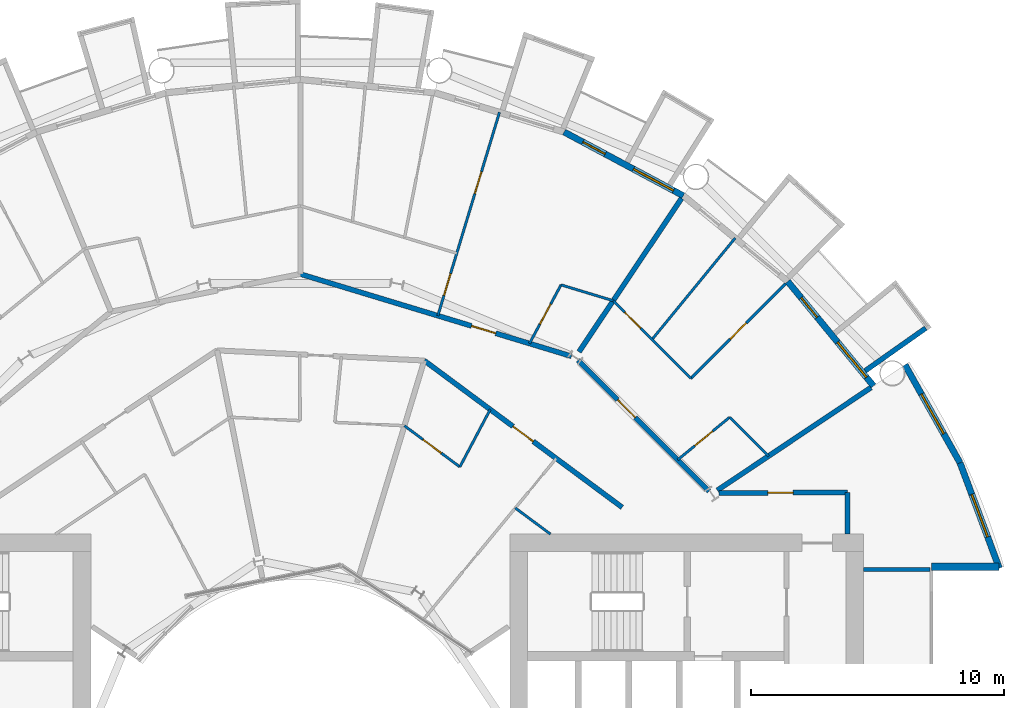
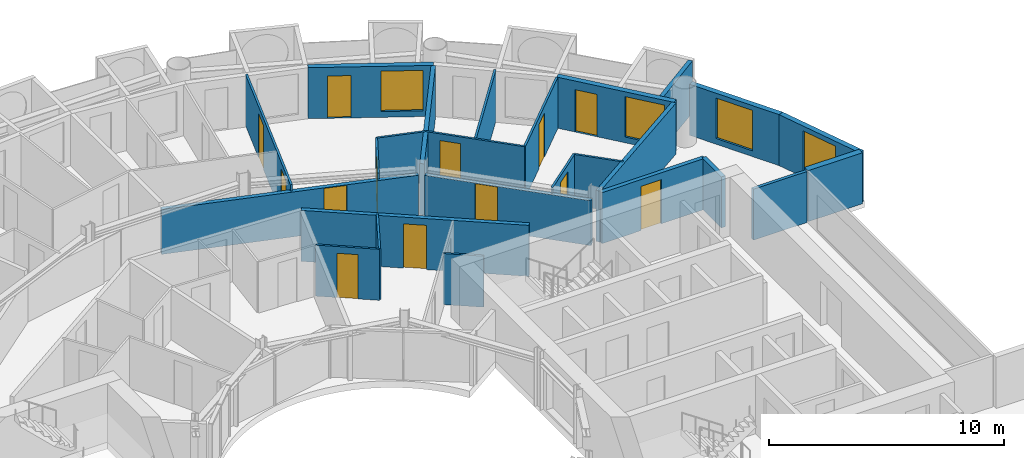
# One storey, part 21 of 25: 25 walls, 13 doors, 4 windows, 17 openings.
"""IFC4 building model written with IfcOpenShell, lengths in metres."""

import ifcopenshell
import ifcopenshell.guid

model = None  # the IFC model being written
_history = None  # IfcOwnerHistory: only IFC2X3 demands one
_inside = {}  # id of a spatial element -> (the spatial element, [elements in it])
_under = {}  # id of a project, library or spatial element -> (it, [spatial elements below it])
_declared = {}  # id of a project -> (the project, [libraries it declares])
_typed = {}  # id of a type object -> (the type object, [elements of that type])
_made_of = {}  # id of a material, layer set ... -> (it, [elements and type objects made of it])


def new_model(schema):
    """Start an empty IFC model of exactly this schema.

    Asked for "IFC4X3", IfcOpenShell would pick the latest addendum, in which some entities
    have other attributes; the version numbers below select the first issue.
    IFC2X3 requires an IfcOwnerHistory on every rooted entity: one is made here for all.
    """
    global model, _history
    if schema == "IFC4X3":
        model = ifcopenshell.file(schema_version=(4, 3, 0, 0))
    else:
        model = ifcopenshell.file(schema=schema)
    _inside.clear()
    _under.clear()
    _declared.clear()
    _typed.clear()
    _made_of.clear()
    _history = None
    if model.schema == "IFC2X3":
        org = make("IfcOrganization", Name="unknown")
        user = make(
            "IfcPersonAndOrganization",
            ThePerson=make("IfcPerson", FamilyName="unknown"),
            TheOrganization=org,
        )
        app = make(
            "IfcApplication",
            ApplicationDeveloper=org,
            Version="unknown",
            ApplicationFullName="unknown",
            ApplicationIdentifier="unknown",
        )
        _history = make(
            "IfcOwnerHistory",
            OwningUser=user,
            OwningApplication=app,
            ChangeAction="ADDED",
            CreationDate=0,
        )
    return model


def make(cls, **values):
    """One entity of the class cls with the attributes given. An attribute that is None is left unset."""
    return model.create_entity(
        cls, **{name: value for name, value in values.items() if value is not None}
    )


def rooted(cls, **values):
    """An entity with a GlobalId (a new one), such as an element, a storey or a relation."""
    return make(cls, GlobalId=ifcopenshell.guid.new(), OwnerHistory=_history, **values)


def si_unit(unit_type, name, prefix=None):
    """IfcSIUnit, for example si_unit("LENGTHUNIT", "METRE", prefix="MILLI")."""
    return make("IfcSIUnit", UnitType=unit_type, Prefix=prefix, Name=name)


def assignment(units):
    """IfcUnitAssignment: the units of a project."""
    return None if units is None else make("IfcUnitAssignment", Units=units)


def point(xyz):
    """IfcCartesianPoint."""
    return None if xyz is None else make("IfcCartesianPoint", Coordinates=xyz)


def direction(xyz):
    """IfcDirection."""
    return None if xyz is None else make("IfcDirection", DirectionRatios=xyz)


def frame(location, z_axis=None, x_axis=None):
    """IfcAxis2Placement3D, a coordinate frame: its origin and axes. An axis left out is left unset."""
    return make(
        "IfcAxis2Placement3D",
        Location=point(location),
        Axis=direction(z_axis),
        RefDirection=direction(x_axis),
    )


def frame_2d(location, x_axis=None):
    """IfcAxis2Placement2D, a coordinate frame in the plane: its origin and x axis."""
    return make(
        "IfcAxis2Placement2D", Location=point(location), RefDirection=direction(x_axis)
    )


def origin():
    """The frame at (0, 0, 0) with its axes left unset."""
    return frame((0.0, 0.0, 0.0))


def place(relative_to, where):
    """IfcLocalPlacement: puts the frame where relative to a parent placement (None: the world)."""
    return make(
        "IfcLocalPlacement", PlacementRelTo=relative_to, RelativePlacement=where
    )


def context(
    kind, dimensions, precision=None, world=None, true_north=None, identifier=None
):
    """IfcGeometricRepresentationContext, for example the 3D "Model" context."""
    return make(
        "IfcGeometricRepresentationContext",
        ContextIdentifier=identifier,
        ContextType=kind,
        CoordinateSpaceDimension=dimensions,
        Precision=precision,
        WorldCoordinateSystem=world,
        TrueNorth=true_north,
    )


def subcontext(parent, identifier, kind, view, scale=None):
    """IfcGeometricRepresentationSubContext, for example "Body" below "Model"."""
    return make(
        "IfcGeometricRepresentationSubContext",
        ContextIdentifier=identifier,
        ContextType=kind,
        ParentContext=parent,
        TargetScale=scale,
        TargetView=view,
    )


def project(units=None, contexts=None):
    """IfcProject with its units and contexts."""
    return rooted(
        "IfcProject",
        Name="project",
        RepresentationContexts=contexts,
        UnitsInContext=assignment(units),
    )


def spatial(cls, under=None, at=None, **own):
    """A site, building, storey or space (cls), placed at a placement, below another one or the project."""
    s = rooted(cls, ObjectPlacement=at, **own)
    if under is not None:
        _under.setdefault(under.id(), (under, []))[1].append(s)
    return s


def profile(cls, at=None, kind="AREA", **sizes):
    """A parametric profile (cls). Its sizes go by their IFC names, for example OverallWidth=200.0."""
    return make(cls, ProfileType=kind, Position=at, **sizes)


def rectangle(**sizes):
    """IfcRectangleProfileDef."""
    return profile("IfcRectangleProfileDef", **sizes)


def extrude(swept, where, along, depth):
    """IfcExtrudedAreaSolid: the profile swept, set in the frame where, extruded along a direction by depth."""
    return make(
        "IfcExtrudedAreaSolid",
        SweptArea=swept,
        Position=where,
        ExtrudedDirection=direction(along),
        Depth=depth,
    )


def shape(context_of_items, identifier, shape_type, items):
    """IfcShapeRepresentation: the items that make up one representation, for example the "Body"."""
    return make(
        "IfcShapeRepresentation",
        ContextOfItems=context_of_items,
        RepresentationIdentifier=identifier,
        RepresentationType=shape_type,
        Items=items,
    )


def material(Name=None, Category=None):
    """IfcMaterial."""
    return make("IfcMaterial", Name=Name, Category=Category)


def layer(
    of_material, thickness, ventilated=None, Name=None, Category=None, Priority=None
):
    """IfcMaterialLayer: one layer of a wall or slab, of a material (None: an air gap)."""
    return make(
        "IfcMaterialLayer",
        Material=of_material,
        LayerThickness=thickness,
        IsVentilated=ventilated,
        Name=Name,
        Category=Category,
        Priority=Priority,
    )


def layer_set(layers, Name=None):
    """IfcMaterialLayerSet."""
    return make("IfcMaterialLayerSet", MaterialLayers=layers, LayerSetName=Name)


def made_of(thing, what):
    """Note that an element or type object is made of a material, layer set ...; save() writes the relation."""
    if what is not None:
        _made_of.setdefault(what.id(), (what, []))[1].append(thing)
    return thing


def type_object(cls, material=None, **own):
    """A type object (cls), such as IfcWallType, which elements share."""
    return made_of(rooted(cls, **own), material)


def element(
    cls,
    number,
    at=None,
    inside=None,
    cuts=None,
    type_object=None,
    material=None,
    context=None,
    identifier="Body",
    shape_type=None,
    held_by="IfcProductDefinitionShape",
    body=None,
    shapes=None,
    **own,
):
    """One element of the class cls, such as IfcWall. Its Tag is "e" and its number.

    at: its placement. inside: the storey or other place that contains it. cuts: it is an
    opening in that element (IfcRelVoidsElement). A single representation is given by context,
    identifier, shape_type and body (its items); several are given by shapes. held_by: the class
    of the entity that holds the representations. save() writes the other relations.
    """
    e = rooted(cls, Tag="e%d" % number, ObjectPlacement=at, **own)
    if body is not None:
        shapes = [shape(context, identifier, shape_type, body)]
    if shapes is not None:
        e.Representation = make(held_by, Representations=shapes)
    if inside is not None:
        _inside.setdefault(inside.id(), (inside, []))[1].append(e)
    if cuts is not None:
        rooted(
            "IfcRelVoidsElement", RelatingBuildingElement=cuts, RelatedOpeningElement=e
        )
    if type_object is not None:
        _typed.setdefault(type_object.id(), (type_object, []))[1].append(e)
    return made_of(e, material)


def fill(opening, filler):
    """IfcRelFillsElement: the door or window that sits in an opening."""
    return rooted(
        "IfcRelFillsElement",
        RelatingOpeningElement=opening,
        RelatedBuildingElement=filler,
    )


def aggregate(whole, parts):
    """IfcRelAggregates: a whole, such as a stair, and the parts it consists of."""
    return rooted("IfcRelAggregates", RelatingObject=whole, RelatedObjects=parts)


def save(model, path):
    """Write the relations noted so far, then the file.

    IfcRelAggregates (storeys below a building ...), IfcRelContainedInSpatialStructure (elements
    in a storey), IfcRelDefinesByType, IfcRelAssociatesMaterial and IfcRelDeclares: one each for
    every whole, place, type object, material and project.
    """
    for whole, parts in _under.values():
        aggregate(whole, parts)
    for where, things in _inside.values():
        rooted(
            "IfcRelContainedInSpatialStructure",
            RelatedElements=things,
            RelatingStructure=where,
        )
    for kind, things in _typed.values():
        rooted("IfcRelDefinesByType", RelatedObjects=things, RelatingType=kind)
    for what, things in _made_of.values():
        rooted("IfcRelAssociatesMaterial", RelatedObjects=things, RelatingMaterial=what)
    for by, libraries in _declared.values():
        rooted("IfcRelDeclares", RelatingContext=by, RelatedDefinitions=libraries)
    model.write(path)


model = new_model("IFC4")

# Units and contexts
model_context = context("Model", 3, precision=1e-05, world=origin(), true_north=direction((0.0, 1.0)))
body_context = subcontext(model_context, "Body", "Model", "MODEL_VIEW")
ifc_project = project(units=[si_unit("LENGTHUNIT", "METRE"), si_unit("AREAUNIT", "SQUARE_METRE"), si_unit("VOLUMEUNIT", "CUBIC_METRE"), si_unit("PLANEANGLEUNIT", "RADIAN"), si_unit("MASSUNIT", "GRAM", prefix="KILO")], contexts=[model_context])

# Site, building, storey
site_placement = place(None, origin())
site = spatial("IfcSite", under=ifc_project, at=site_placement, CompositionType="ELEMENT")
building_placement = place(site_placement, origin())
building = spatial("IfcBuilding", under=site, at=building_placement, Name="Maasbend Ring Residences", CompositionType="ELEMENT")
storey_placement = place(building_placement, frame((0.0, 0.0, 94.10009765625)))
storey = spatial("IfcBuildingStorey", under=building, at=storey_placement, Name="L27", CompositionType="ELEMENT", Elevation=94.10009765625)

# Wall
ifc_material_1 = material(Name="Concrete C30/37", Category="concrete")
ifc_layer_1 = layer(ifc_material_1, 0.199951171875)
ifc_layer_set_1 = layer_set([ifc_layer_1], Name="Concrete C30/37")
wall_type_1 = type_object("IfcWallType", Name="CORRIDOR WALL 200 CONCRETE", PredefinedType="PARTITIONING", material=ifc_layer_set_1)
wall_1_placement = place(storey_placement, frame((21.675048828125, 9.300048828125, 0.0), z_axis=(0.0, 0.0, 1.0), x_axis=(0.0, 1.0, 0.0)))
element("IfcWall", 1, at=wall_1_placement, inside=storey, type_object=wall_type_1, Name="U-L27-w006", PredefinedType="PARTITIONING", context=body_context, shape_type="SweptSolid", body=[
    extrude(rectangle(XDim=1.64990234375, YDim=0.199951171875, at=frame_2d((0.824951171875, 0.0))), origin(), (0.0, 0.0, 1.0), 2.64990234375),
])

# Wall, opening, door
wall_2_placement = place(storey_placement, frame((16.587890625, 10.925048828125, 0.0), z_axis=(0.0, 0.0, 1.0), x_axis=(0.999988019025, 0.004895079807, 0.0)))
wall_2 = element("IfcWall", 2, at=wall_2_placement, inside=storey, type_object=wall_type_1, Name="U-L27-w087", PredefinedType="PARTITIONING", context=body_context, shape_type="SweptSolid", body=[
    extrude(rectangle(XDim=5.087158203125, YDim=0.199951171875, at=frame_2d((2.54345703125, 0.0))), origin(), (0.0, 0.0, 1.0), 2.64990234375),
])
opening_1_placement = place(wall_2_placement, frame((1.925048828125, 0.0, 0.0)))
opening_1 = element("IfcOpeningElement", 3, at=opening_1_placement, cuts=wall_2, Name="Opening D-2766", PredefinedType="OPENING", context=body_context, shape_type="SweptSolid", body=[
    extrude(rectangle(XDim=1.0, YDim=2.300048828125, at=frame_2d((0.5, 1.14990234375))), frame((0.0, 0.10986328125, 0.0), z_axis=(0.0, -1.0, 0.0), x_axis=(1.0, 0.0, 0.0)), (0.0, 0.0, 1.0), 0.219970703125),
])
ifc_material_2 = material(Name="Timber, painted", Category="wood")
door_type_1 = type_object("IfcDoorType", Name="ROOM DOOR 1000 X 2300", OperationType="NOTDEFINED", PredefinedType="DOOR", material=ifc_material_2)
door_1_placement = place(opening_1_placement, origin())
door_1 = element("IfcDoor", 4, at=door_1_placement, inside=storey, type_object=door_type_1, Name="D-2766", OperationType="SINGLE_SWING_LEFT", OverallHeight=2.300048828125, OverallWidth=1.0, PredefinedType="DOOR", context=body_context, shape_type="SweptSolid", body=[
    extrude(rectangle(XDim=1.0, YDim=2.300048828125, at=frame_2d((0.5, 1.14990234375))), frame((0.0, 0.02490234375, 0.0), z_axis=(0.0, -1.0, 0.0), x_axis=(1.0, 0.0, 0.0)), (0.0, 0.0, 1.0), 0.050048828125),
])
fill(opening_1, door_1)

wall_3_placement = place(storey_placement, frame((4.906005859375, 16.172119140625, 0.0), z_axis=(0.0, 0.0, 1.0), x_axis=(0.803191461888, -0.595720971219, 0.0)))
wall_3 = element("IfcWall", 5, at=wall_3_placement, inside=storey, type_object=wall_type_1, Name="U-L27-w096", PredefinedType="PARTITIONING", context=body_context, shape_type="SweptSolid", body=[
    extrude(rectangle(XDim=9.760009765625, YDim=0.199951171875, at=frame_2d((4.8798828125, 0.0))), origin(), (0.0, 0.0, 1.0), 2.64990234375),
])
opening_2_placement = place(wall_3_placement, frame((4.3798828125, 0.0, 0.0)))
opening_2 = element("IfcOpeningElement", 6, at=opening_2_placement, cuts=wall_3, Name="Opening D-2721", PredefinedType="OPENING", context=body_context, shape_type="SweptSolid", body=[
    extrude(rectangle(XDim=1.0, YDim=2.300048828125, at=frame_2d((0.5, 1.14990234375))), frame((0.0, 0.10986328125, 0.0), z_axis=(0.0, -1.0, 0.0), x_axis=(1.0, 0.0, 0.0)), (0.0, 0.0, 1.0), 0.219970703125),
])
ifc_material_3 = material(Name="Timber, fire-rated, painted", Category="wood")
door_type_2 = type_object("IfcDoorType", Name="FLAT ENTRANCE DOOR 1000 X 2300 FIRE-RATED", OperationType="NOTDEFINED", PredefinedType="DOOR", material=ifc_material_3)
door_2_placement = place(opening_2_placement, origin())
door_2 = element("IfcDoor", 7, at=door_2_placement, inside=storey, type_object=door_type_2, Name="D-2721", OperationType="SINGLE_SWING_LEFT", OverallHeight=2.300048828125, OverallWidth=1.0, PredefinedType="DOOR", context=body_context, shape_type="SweptSolid", body=[
    extrude(rectangle(XDim=1.0, YDim=2.300048828125, at=frame_2d((0.5, 1.14990234375))), frame((0.0, 0.02490234375, 0.0), z_axis=(0.0, -1.0, 0.0), x_axis=(1.0, 0.0, 0.0)), (0.0, 0.0, 1.0), 0.050048828125),
])
fill(opening_2, door_2)

wall_4_placement = place(storey_placement, frame((-0.007080078125, 19.59912109375, 0.0), z_axis=(0.0, 0.0, 1.0), x_axis=(0.95700958731, -0.290056287291, 0.0)))
wall_4 = element("IfcWall", 8, at=wall_4_placement, inside=storey, type_object=wall_type_1, Name="U-L27-w098", PredefinedType="PARTITIONING", context=body_context, shape_type="SweptSolid", body=[
    extrude(rectangle(XDim=11.225830078125, YDim=0.199951171875, at=frame_2d((5.61279296875, 0.0))), origin(), (0.0, 0.0, 1.0), 2.329833984375),
])
opening_3_placement = place(wall_4_placement, frame((7.093017578125, 0.0, 0.0)))
opening_3 = element("IfcOpeningElement", 9, at=opening_3_placement, cuts=wall_4, Name="Opening D-2705", PredefinedType="OPENING", context=body_context, shape_type="SweptSolid", body=[
    extrude(rectangle(XDim=1.0, YDim=2.300048828125, at=frame_2d((0.5, 1.14990234375))), frame((0.0, 0.10986328125, 0.0), z_axis=(0.0, -1.0, 0.0), x_axis=(1.0, 0.0, 0.0)), (0.0, 0.0, 1.0), 0.219970703125),
])
door_3_placement = place(opening_3_placement, origin())
door_3 = element("IfcDoor", 10, at=door_3_placement, inside=storey, type_object=door_type_2, Name="D-2705", OperationType="SINGLE_SWING_RIGHT", OverallHeight=2.300048828125, OverallWidth=1.0, PredefinedType="DOOR", context=body_context, shape_type="SweptSolid", body=[
    extrude(rectangle(XDim=1.0, YDim=2.300048828125, at=frame_2d((0.5, 1.14990234375))), frame((0.0, 0.02490234375, 0.0), z_axis=(0.0, -1.0, 0.0), x_axis=(1.0, 0.0, 0.0)), (0.0, 0.0, 1.0), 0.050048828125),
])
fill(opening_3, door_3)

wall_5_placement = place(storey_placement, frame((11.0, 16.18603515625, 0.0), z_axis=(0.0, 0.0, 1.0), x_axis=(0.707106781187, -0.707106781187, 0.0)))
wall_5 = element("IfcWall", 11, at=wall_5_placement, inside=storey, type_object=wall_type_1, Name="U-L27-w101", PredefinedType="PARTITIONING", context=body_context, shape_type="SweptSolid", body=[
    extrude(rectangle(XDim=7.334228515625, YDim=0.199951171875, at=frame_2d((3.6669921875, 0.0))), origin(), (0.0, 0.0, 1.0), 2.329833984375),
])
opening_4_placement = place(wall_5_placement, frame((2.2109375, 0.0, 0.0)))
opening_4 = element("IfcOpeningElement", 12, at=opening_4_placement, cuts=wall_5, Name="Opening D-2701", PredefinedType="OPENING", context=body_context, shape_type="SweptSolid", body=[
    extrude(rectangle(XDim=1.0, YDim=2.300048828125, at=frame_2d((0.5, 1.14990234375))), frame((0.0, 0.10986328125, 0.0), z_axis=(0.0, -1.0, 0.0), x_axis=(1.0, 0.0, 0.0)), (0.0, 0.0, 1.0), 0.219970703125),
])
door_4_placement = place(opening_4_placement, origin())
door_4 = element("IfcDoor", 13, at=door_4_placement, inside=storey, type_object=door_type_2, Name="D-2701", OperationType="SINGLE_SWING_LEFT", OverallHeight=2.300048828125, OverallWidth=1.0, PredefinedType="DOOR", context=body_context, shape_type="SweptSolid", body=[
    extrude(rectangle(XDim=1.0, YDim=2.300048828125, at=frame_2d((0.5, 1.14990234375))), frame((0.0, 0.02490234375, 0.0), z_axis=(0.0, -1.0, 0.0), x_axis=(1.0, 0.0, 0.0)), (0.0, 0.0, 1.0), 0.050048828125),
])
fill(opening_4, door_4)

# Wall
ifc_material_4 = material(Name="Pale anodised aluminium panel", Category="aluminium")
ifc_layer_2 = layer(ifc_material_4, 0.199951171875)
ifc_layer_set_2 = layer_set([ifc_layer_2], Name="EW-BOX")
wall_type_2 = type_object("IfcWallType", Name="EW-BOX", PredefinedType="SOLIDWALL", material=ifc_layer_set_2)
wall_6_placement = place(storey_placement, frame((22.3701171875, 15.764892578125, -0.030029296875), z_axis=(0.0, 0.0, 1.0), x_axis=(0.817256123454, 0.576274612209, 0.0)))
element("IfcWall", 14, at=wall_6_placement, inside=storey, type_object=wall_type_2, Name="Box side wall N01 left", PredefinedType="SOLIDWALL", context=body_context, shape_type="SweptSolid", body=[
    extrude(rectangle(XDim=2.932861328125, YDim=0.199951171875, at=frame_2d((1.46630859375, 0.0))), origin(), (0.0, 0.0, 1.0), 2.679931640625),
])

# Wall, openings, door, window
ifc_material_5 = material(Name="Aluminium clad insulated panel", Category="aluminium")
ifc_layer_3 = layer(ifc_material_5, 0.25)
ifc_layer_set_3 = layer_set([ifc_layer_3], Name="EW-GL")
wall_type_3 = type_object("IfcWallType", Name="EW-GL", PredefinedType="SOLIDWALL", material=ifc_layer_set_3)
wall_7_placement = place(storey_placement, frame((22.698974609375, 15.1669921875, 0.0), z_axis=(0.0, 0.0, 1.0), x_axis=(-0.634382322723, 0.773019449054, 0.0)))
wall_7 = element("IfcWall", 15, at=wall_7_placement, inside=storey, type_object=wall_type_3, Name="External wall N01", PredefinedType="SOLIDWALL", context=body_context, shape_type="SweptSolid", body=[
    extrude(rectangle(XDim=5.351806640625, YDim=0.25, at=frame_2d((2.67578125, 0.0))), origin(), (0.0, 0.0, 1.0), 2.64990234375),
])
opening_5_placement = place(wall_7_placement, frame((0.441162109375, 0.0, 0.300048828125)))
opening_5 = element("IfcOpeningElement", 16, at=opening_5_placement, cuts=wall_7, Name="Opening W-BX", PredefinedType="OPENING", context=body_context, shape_type="SweptSolid", body=[
    extrude(rectangle(XDim=1.800048828125, YDim=2.10009765625, at=frame_2d((0.89990234375, 1.050048828125))), frame((0.0, 0.135009765625, 0.0), z_axis=(0.0, -1.0, 0.0), x_axis=(1.0, 0.0, 0.0)), (0.0, 0.0, 1.0), 0.27001953125),
])
opening_6_placement = place(wall_7_placement, frame((3.510498046875, 0.0, 0.0)))
opening_6 = element("IfcOpeningElement", 17, at=opening_6_placement, cuts=wall_7, Name="Opening D-LG", PredefinedType="OPENING", context=body_context, shape_type="SweptSolid", body=[
    extrude(rectangle(XDim=1.0, YDim=2.199951171875, at=frame_2d((0.5, 1.10009765625))), frame((0.0, 0.135009765625, 0.0), z_axis=(0.0, -1.0, 0.0), x_axis=(1.0, 0.0, 0.0)), (0.0, 0.0, 1.0), 0.27001953125),
])
ifc_material_6 = material(Name="Aluminium and clear glass", Category="aluminium")
door_type_3 = type_object("IfcDoorType", Name="D-LG", OperationType="SINGLE_SWING_LEFT", PredefinedType="DOOR", material=ifc_material_6)
door_5_placement = place(opening_6_placement, origin())
door_5 = element("IfcDoor", 18, at=door_5_placement, inside=storey, type_object=door_type_3, Name="Loggia door N02", OperationType="SINGLE_SWING_LEFT", OverallHeight=2.199951171875, OverallWidth=1.0, PredefinedType="DOOR", context=body_context, shape_type="SweptSolid", body=[
    extrude(rectangle(XDim=1.0, YDim=2.199951171875, at=frame_2d((0.5, 1.10009765625))), frame((0.0, 0.02490234375, 0.0), z_axis=(0.0, -1.0, 0.0), x_axis=(1.0, 0.0, 0.0)), (0.0, 0.0, 1.0), 0.050048828125),
])
fill(opening_6, door_5)
ifc_material_7 = material(Name="Aluminium and clear glass", Category="aluminium")
window_type = type_object("IfcWindowType", Name="W-BX", PartitioningType="DOUBLE_PANEL_VERTICAL", PredefinedType="WINDOW", material=ifc_material_7)
window_1_placement = place(opening_5_placement, origin())
window_1 = element("IfcWindow", 19, at=window_1_placement, inside=storey, type_object=window_type, Name="Window N01 room to box", OverallHeight=2.10009765625, OverallWidth=1.800048828125, PartitioningType="SINGLE_PANEL", PredefinedType="WINDOW", context=body_context, shape_type="SweptSolid", body=[
    extrude(rectangle(XDim=1.800048828125, YDim=2.10009765625, at=frame_2d((0.89990234375, 1.050048828125))), frame((0.0, 0.030029296875, 0.0), z_axis=(0.0, -1.0, 0.0), x_axis=(1.0, 0.0, 0.0)), (0.0, 0.0, 1.0), 0.06005859375),
])
fill(opening_5, window_1)

wall_8_placement = place(storey_placement, frame((15.1669921875, 22.698974609375, 0.0), z_axis=(0.0, 0.0, 1.0), x_axis=(-0.881915646801, 0.471407246368, 0.0)))
wall_8 = element("IfcWall", 20, at=wall_8_placement, inside=storey, type_object=wall_type_3, Name="External wall N03", PredefinedType="SOLIDWALL", context=body_context, shape_type="SweptSolid", body=[
    extrude(rectangle(XDim=5.35205078125, YDim=0.25, at=frame_2d((2.676025390625, 0.0))), origin(), (0.0, 0.0, 1.0), 2.64990234375),
])
opening_7_placement = place(wall_8_placement, frame((0.441162109375, 0.0, 0.300048828125)))
opening_7 = element("IfcOpeningElement", 21, at=opening_7_placement, cuts=wall_8, Name="Opening W-BX", PredefinedType="OPENING", context=body_context, shape_type="SweptSolid", body=[
    extrude(rectangle(XDim=1.800048828125, YDim=2.10009765625, at=frame_2d((0.89990234375, 1.050048828125))), frame((0.0, 0.135009765625, 0.0), z_axis=(0.0, -1.0, 0.0), x_axis=(1.0, 0.0, 0.0)), (0.0, 0.0, 1.0), 0.27001953125),
])
opening_8_placement = place(wall_8_placement, frame((3.510498046875, 0.0, 0.0)))
opening_8 = element("IfcOpeningElement", 22, at=opening_8_placement, cuts=wall_8, Name="Opening D-LG", PredefinedType="OPENING", context=body_context, shape_type="SweptSolid", body=[
    extrude(rectangle(XDim=1.0, YDim=2.199951171875, at=frame_2d((0.5, 1.10009765625))), frame((0.0, 0.135009765625, 0.0), z_axis=(0.0, -1.0, 0.0), x_axis=(1.0, 0.0, 0.0)), (0.0, 0.0, 1.0), 0.27001953125),
])
door_6_placement = place(opening_8_placement, origin())
door_6 = element("IfcDoor", 23, at=door_6_placement, inside=storey, type_object=door_type_3, Name="Loggia door N06", OperationType="SINGLE_SWING_LEFT", OverallHeight=2.199951171875, OverallWidth=1.0, PredefinedType="DOOR", context=body_context, shape_type="SweptSolid", body=[
    extrude(rectangle(XDim=1.0, YDim=2.199951171875, at=frame_2d((0.5, 1.10009765625))), frame((0.0, 0.02490234375, 0.0), z_axis=(0.0, -1.0, 0.0), x_axis=(1.0, 0.0, 0.0)), (0.0, 0.0, 1.0), 0.050048828125),
])
fill(opening_8, door_6)
window_2_placement = place(opening_7_placement, origin())
window_2 = element("IfcWindow", 24, at=window_2_placement, inside=storey, type_object=window_type, Name="Window N05 room to box", OverallHeight=2.10009765625, OverallWidth=1.800048828125, PartitioningType="SINGLE_PANEL", PredefinedType="WINDOW", context=body_context, shape_type="SweptSolid", body=[
    extrude(rectangle(XDim=1.800048828125, YDim=2.10009765625, at=frame_2d((0.89990234375, 1.050048828125))), frame((0.0, 0.030029296875, 0.0), z_axis=(0.0, -1.0, 0.0), x_axis=(1.0, 0.0, 0.0)), (0.0, 0.0, 1.0), 0.06005859375),
])
fill(opening_7, window_2)

# Wall, opening, window
ifc_material_8 = material(Name="Aluminium clad insulated panel", Category="aluminium")
ifc_layer_4 = layer(ifc_material_8, 0.25)
ifc_layer_set_4 = layer_set([ifc_layer_4], Name="EW-HORN")
wall_type_4 = type_object("IfcWallType", Name="EW-HORN", PredefinedType="SOLIDWALL", material=ifc_layer_set_4)
wall_9_placement = place(storey_placement, frame((27.681884765625, 7.945068359375, 0.0), z_axis=(0.0, 0.0, 1.0), x_axis=(-0.349247811493, 0.937030397675, 0.0)))
wall_9 = element("IfcWall", 25, at=wall_9_placement, inside=storey, type_object=wall_type_4, Name="Horn wall 1.1", PredefinedType="SOLIDWALL", context=body_context, shape_type="SweptSolid", body=[
    extrude(rectangle(XDim=4.4521484375, YDim=0.25, at=frame_2d((2.22607421875, 0.0))), origin(), (0.0, 0.0, 1.0), 2.64990234375),
])
opening_9_placement = place(wall_9_placement, frame((1.32666015625, 0.0, 0.300048828125)))
opening_9 = element("IfcOpeningElement", 26, at=opening_9_placement, cuts=wall_9, Name="Opening W-BX", PredefinedType="OPENING", context=body_context, shape_type="SweptSolid", body=[
    extrude(rectangle(XDim=1.800048828125, YDim=2.10009765625, at=frame_2d((0.89990234375, 1.050048828125))), frame((0.0, 0.135009765625, 0.0), z_axis=(0.0, -1.0, 0.0), x_axis=(1.0, 0.0, 0.0)), (0.0, 0.0, 1.0), 0.27001953125),
])
window_3_placement = place(opening_9_placement, origin())
window_3 = element("IfcWindow", 27, at=window_3_placement, inside=storey, type_object=window_type, Name="Horn window 1.1", OverallHeight=2.10009765625, OverallWidth=1.800048828125, PartitioningType="SINGLE_PANEL", PredefinedType="WINDOW", context=body_context, shape_type="SweptSolid", body=[
    extrude(rectangle(XDim=1.800048828125, YDim=2.10009765625, at=frame_2d((0.89990234375, 1.050048828125))), frame((0.0, 0.030029296875, 0.0), z_axis=(0.0, -1.0, 0.0), x_axis=(1.0, 0.0, 0.0)), (0.0, 0.0, 1.0), 0.06005859375),
])
fill(opening_9, window_3)

wall_10_placement = place(storey_placement, frame((26.126953125, 12.116943359375, 0.0), z_axis=(0.0, 0.0, 1.0), x_axis=(-0.489696356642, 0.871893042919, 0.0)))
wall_10 = element("IfcWall", 28, at=wall_10_placement, inside=storey, type_object=wall_type_4, Name="Horn wall 1.2", PredefinedType="SOLIDWALL", context=body_context, shape_type="SweptSolid", body=[
    extrude(rectangle(XDim=4.45361328125, YDim=0.25, at=frame_2d((2.226806640625, 0.0))), origin(), (0.0, 0.0, 1.0), 2.64990234375),
])
opening_10_placement = place(wall_10_placement, frame((1.32666015625, 0.0, 0.300048828125)))
opening_10 = element("IfcOpeningElement", 29, at=opening_10_placement, cuts=wall_10, Name="Opening W-BX", PredefinedType="OPENING", context=body_context, shape_type="SweptSolid", body=[
    extrude(rectangle(XDim=1.800048828125, YDim=2.10009765625, at=frame_2d((0.89990234375, 1.050048828125))), frame((0.0, 0.135009765625, 0.0), z_axis=(0.0, -1.0, 0.0), x_axis=(1.0, 0.0, 0.0)), (0.0, 0.0, 1.0), 0.27001953125),
])
window_4_placement = place(opening_10_placement, origin())
window_4 = element("IfcWindow", 30, at=window_4_placement, inside=storey, type_object=window_type, Name="Horn window 1.2", OverallHeight=2.10009765625, OverallWidth=1.800048828125, PartitioningType="SINGLE_PANEL", PredefinedType="WINDOW", context=body_context, shape_type="SweptSolid", body=[
    extrude(rectangle(XDim=1.800048828125, YDim=2.10009765625, at=frame_2d((0.89990234375, 1.050048828125))), frame((0.0, 0.030029296875, 0.0), z_axis=(0.0, -1.0, 0.0), x_axis=(1.0, 0.0, 0.0)), (0.0, 0.0, 1.0), 0.06005859375),
])
fill(opening_10, window_4)

# Wall
ifc_material_9 = material(Name="Aluminium clad insulated panel", Category="aluminium")
ifc_layer_5 = layer(ifc_material_9, 0.300048828125)
ifc_layer_set_5 = layer_set([ifc_layer_5], Name="EW-RET")
wall_type_5 = type_object("IfcWallType", Name="EW-RET", PredefinedType="SOLIDWALL", material=ifc_layer_set_5)
wall_11_placement = place(storey_placement, frame((25.0, 8.0, 0.0), z_axis=(0.0, 0.0, 1.0), x_axis=(1.0, 0.0, 0.0)))
element("IfcWall", 31, at=wall_11_placement, inside=storey, type_object=wall_type_5, Name="Notch return wall east north", PredefinedType="SOLIDWALL", context=body_context, shape_type="SweptSolid", body=[
    extrude(rectangle(XDim=2.6669921875, YDim=0.300048828125, at=frame_2d((1.33349609375, 0.0))), origin(), (0.0, 0.0, 1.0), 2.64990234375),
])

# Wall, openings, doors
ifc_material_10 = material(Name="Gypsum board on steel studs", Category="steel")
ifc_layer_6 = layer(ifc_material_10, 0.10009765625)
ifc_layer_set_6 = layer_set([ifc_layer_6], Name="PARTITION 100 GYPSUM")
wall_type_6 = type_object("IfcWallType", Name="PARTITION 100 GYPSUM", PredefinedType="PARTITIONING", material=ifc_layer_set_6)
wall_12_placement = place(storey_placement, frame((5.445068359375, 17.947998046875, 0.0), z_axis=(0.0, 0.0, 1.0), x_axis=(0.290158700753, 0.956978541231, 0.0)))
wall_12 = element("IfcWall", 32, at=wall_12_placement, inside=storey, type_object=wall_type_6, Name="U-L27-w070", PredefinedType="PARTITIONING", context=body_context, shape_type="SweptSolid", body=[
    extrude(rectangle(XDim=8.419189453125, YDim=0.10009765625, at=frame_2d((4.20947265625, 0.0))), origin(), (0.0, 0.0, 1.0), 2.64990234375),
])
opening_11_placement = place(wall_12_placement, frame((0.842041015625, 0.0, 0.0)))
opening_11 = element("IfcOpeningElement", 33, at=opening_11_placement, cuts=wall_12, Name="Opening D-2707", PredefinedType="OPENING", context=body_context, shape_type="SweptSolid", body=[
    extrude(rectangle(XDim=0.89990234375, YDim=2.300048828125, at=frame_2d((0.449951171875, 1.14990234375))), frame((0.0, 0.06005859375, 0.0), z_axis=(0.0, -1.0, 0.0), x_axis=(1.0, 0.0, 0.0)), (0.0, 0.0, 1.0), 0.1201171875),
])
opening_12_placement = place(wall_12_placement, frame((5.052001953125, 0.0, 0.0)))
opening_12 = element("IfcOpeningElement", 34, at=opening_12_placement, cuts=wall_12, Name="Opening D-2708", PredefinedType="OPENING", context=body_context, shape_type="SweptSolid", body=[
    extrude(rectangle(XDim=0.89990234375, YDim=2.300048828125, at=frame_2d((0.449951171875, 1.14990234375))), frame((0.0, 0.06005859375, 0.0), z_axis=(0.0, -1.0, 0.0), x_axis=(1.0, 0.0, 0.0)), (0.0, 0.0, 1.0), 0.1201171875),
])
ifc_material_11 = material(Name="Timber, painted", Category="wood")
door_type_4 = type_object("IfcDoorType", Name="INTERNAL DOOR 900 X 2300", OperationType="NOTDEFINED", PredefinedType="DOOR", material=ifc_material_11)
door_7_placement = place(opening_11_placement, origin())
door_7 = element("IfcDoor", 35, at=door_7_placement, inside=storey, type_object=door_type_4, Name="D-2707", OperationType="SINGLE_SWING_LEFT", OverallHeight=2.300048828125, OverallWidth=0.89990234375, PredefinedType="DOOR", context=body_context, shape_type="SweptSolid", body=[
    extrude(rectangle(XDim=0.89990234375, YDim=2.300048828125, at=frame_2d((0.449951171875, 1.14990234375))), frame((0.0, 0.02490234375, 0.0), z_axis=(0.0, -1.0, 0.0), x_axis=(1.0, 0.0, 0.0)), (0.0, 0.0, 1.0), 0.050048828125),
])
fill(opening_11, door_7)
door_8_placement = place(opening_12_placement, origin())
door_8 = element("IfcDoor", 36, at=door_8_placement, inside=storey, type_object=door_type_4, Name="D-2708", OperationType="SINGLE_SWING_RIGHT", OverallHeight=2.300048828125, OverallWidth=0.89990234375, PredefinedType="DOOR", context=body_context, shape_type="SweptSolid", body=[
    extrude(rectangle(XDim=0.89990234375, YDim=2.300048828125, at=frame_2d((0.449951171875, 1.14990234375))), frame((0.0, 0.02490234375, 0.0), z_axis=(0.0, -1.0, 0.0), x_axis=(1.0, 0.0, 0.0)), (0.0, 0.0, 1.0), 0.050048828125),
])
fill(opening_12, door_8)

# Wall
wall_13_placement = place(storey_placement, frame((6.318115234375, 11.9599609375, 0.0), z_axis=(0.0, 0.0, 1.0), x_axis=(0.467001992543, 0.884256263173, 0.0)))
element("IfcWall", 37, at=wall_13_placement, inside=storey, type_object=wall_type_6, Name="U-L27-w072", PredefinedType="PARTITIONING", context=body_context, shape_type="SweptSolid", body=[
    extrude(rectangle(XDim=2.571533203125, YDim=0.10009765625, at=frame_2d((1.28564453125, 0.0))), origin(), (0.0, 0.0, 1.0), 2.64990234375),
])

# Wall, opening, door
wall_14_placement = place(storey_placement, frame((9.073974609375, 16.846923828125, 0.0), z_axis=(0.0, 0.0, 1.0), x_axis=(0.474160570331, 0.880438387136, 0.0)))
wall_14 = element("IfcWall", 38, at=wall_14_placement, inside=storey, type_object=wall_type_6, Name="U-L27-w074", PredefinedType="PARTITIONING", context=body_context, shape_type="SweptSolid", body=[
    extrude(rectangle(XDim=2.63623046875, YDim=0.10009765625, at=frame_2d((1.318115234375, 0.0))), origin(), (0.0, 0.0, 1.0), 2.64990234375),
])
opening_13_placement = place(wall_14_placement, frame((0.867919921875, 0.0, 0.0)))
opening_13 = element("IfcOpeningElement", 39, at=opening_13_placement, cuts=wall_14, Name="Opening D-2706", PredefinedType="OPENING", context=body_context, shape_type="SweptSolid", body=[
    extrude(rectangle(XDim=0.89990234375, YDim=2.300048828125, at=frame_2d((0.449951171875, 1.14990234375))), frame((0.0, 0.06005859375, 0.0), z_axis=(0.0, -1.0, 0.0), x_axis=(1.0, 0.0, 0.0)), (0.0, 0.0, 1.0), 0.1201171875),
])
door_9_placement = place(opening_13_placement, origin())
door_9 = element("IfcDoor", 40, at=door_9_placement, inside=storey, type_object=door_type_4, Name="D-2706", OperationType="SINGLE_SWING_RIGHT", OverallHeight=2.300048828125, OverallWidth=0.89990234375, PredefinedType="DOOR", context=body_context, shape_type="SweptSolid", body=[
    extrude(rectangle(XDim=0.89990234375, YDim=2.300048828125, at=frame_2d((0.449951171875, 1.14990234375))), frame((0.0, 0.02490234375, 0.0), z_axis=(0.0, -1.0, 0.0), x_axis=(1.0, 0.0, 0.0)), (0.0, 0.0, 1.0), 0.050048828125),
])
fill(opening_13, door_9)

# Wall
wall_15_placement = place(storey_placement, frame((13.927001953125, 17.00390625, 0.0), z_axis=(0.0, 0.0, 1.0), x_axis=(0.633774976367, 0.773517471898, 0.0)))
element("IfcWall", 41, at=wall_15_placement, inside=storey, type_object=wall_type_6, Name="U-L27-w078", PredefinedType="PARTITIONING", context=body_context, shape_type="SweptSolid", body=[
    extrude(rectangle(XDim=5.19580078125, YDim=0.10009765625, at=frame_2d((2.597900390625, 0.0))), origin(), (0.0, 0.0, 1.0), 2.64990234375),
])

# Wall, opening, door
wall_16_placement = place(storey_placement, frame((14.945068359375, 12.240966796875, 0.0), z_axis=(0.0, 0.0, 1.0), x_axis=(0.77367517848, 0.633582447834, 0.0)))
wall_16 = element("IfcWall", 42, at=wall_16_placement, inside=storey, type_object=wall_type_6, Name="U-L27-w079", PredefinedType="PARTITIONING", context=body_context, shape_type="SweptSolid", body=[
    extrude(rectangle(XDim=2.6611328125, YDim=0.10009765625, at=frame_2d((1.33056640625, 0.0))), origin(), (0.0, 0.0, 1.0), 2.64990234375),
])
opening_14_placement = place(wall_16_placement, frame((0.881103515625, 0.0, 0.0)))
opening_14 = element("IfcOpeningElement", 43, at=opening_14_placement, cuts=wall_16, Name="Opening D-2702", PredefinedType="OPENING", context=body_context, shape_type="SweptSolid", body=[
    extrude(rectangle(XDim=0.89990234375, YDim=2.300048828125, at=frame_2d((0.449951171875, 1.14990234375))), frame((0.0, 0.06005859375, 0.0), z_axis=(0.0, -1.0, 0.0), x_axis=(1.0, 0.0, 0.0)), (0.0, 0.0, 1.0), 0.1201171875),
])
door_10_placement = place(opening_14_placement, origin())
door_10 = element("IfcDoor", 44, at=door_10_placement, inside=storey, type_object=door_type_4, Name="D-2702", OperationType="SINGLE_SWING_LEFT", OverallHeight=2.300048828125, OverallWidth=0.89990234375, PredefinedType="DOOR", context=body_context, shape_type="SweptSolid", body=[
    extrude(rectangle(XDim=0.89990234375, YDim=2.300048828125, at=frame_2d((0.449951171875, 1.14990234375))), frame((0.0, 0.02490234375, 0.0), z_axis=(0.0, -1.0, 0.0), x_axis=(1.0, 0.0, 0.0)), (0.0, 0.0, 1.0), 0.050048828125),
])
fill(opening_14, door_10)

wall_17_placement = place(storey_placement, frame((15.465087890625, 15.465087890625, 0.0), z_axis=(0.0, 0.0, 1.0), x_axis=(0.707106781187, 0.707106781187, 0.0)))
wall_17 = element("IfcWall", 45, at=wall_17_placement, inside=storey, type_object=wall_type_6, Name="U-L27-w081", PredefinedType="PARTITIONING", context=body_context, shape_type="SweptSolid", body=[
    extrude(rectangle(XDim=5.3046875, YDim=0.10009765625, at=frame_2d((2.65234375, 0.0))), origin(), (0.0, 0.0, 1.0), 2.64990234375),
])
opening_15_placement = place(wall_17_placement, frame((2.201904296875, 0.0, 0.0)))
opening_15 = element("IfcOpeningElement", 46, at=opening_15_placement, cuts=wall_17, Name="Opening D-2703", PredefinedType="OPENING", context=body_context, shape_type="SweptSolid", body=[
    extrude(rectangle(XDim=0.89990234375, YDim=2.300048828125, at=frame_2d((0.449951171875, 1.14990234375))), frame((0.0, 0.06005859375, 0.0), z_axis=(0.0, -1.0, 0.0), x_axis=(1.0, 0.0, 0.0)), (0.0, 0.0, 1.0), 0.1201171875),
])
door_11_placement = place(opening_15_placement, origin())
door_11 = element("IfcDoor", 47, at=door_11_placement, inside=storey, type_object=door_type_4, Name="D-2703", OperationType="SINGLE_SWING_RIGHT", OverallHeight=2.300048828125, OverallWidth=0.89990234375, PredefinedType="DOOR", context=body_context, shape_type="SweptSolid", body=[
    extrude(rectangle(XDim=0.89990234375, YDim=2.300048828125, at=frame_2d((0.449951171875, 1.14990234375))), frame((0.0, 0.02490234375, 0.0), z_axis=(0.0, -1.0, 0.0), x_axis=(1.0, 0.0, 0.0)), (0.0, 0.0, 1.0), 0.050048828125),
])
fill(opening_15, door_11)

wall_18_placement = place(storey_placement, frame((4.1220703125, 13.589111328125, 0.0), z_axis=(0.0, 0.0, 1.0), x_axis=(0.803128348509, -0.595806055542, 0.0)))
wall_18 = element("IfcWall", 48, at=wall_18_placement, inside=storey, type_object=wall_type_6, Name="U-L27-w091", PredefinedType="PARTITIONING", context=body_context, shape_type="SweptSolid", body=[
    extrude(rectangle(XDim=2.734375, YDim=0.10009765625, at=frame_2d((1.3671875, 0.0))), origin(), (0.0, 0.0, 1.0), 2.64990234375),
])
opening_16_placement = place(wall_18_placement, frame((0.9169921875, 0.0, 0.0)))
opening_16 = element("IfcOpeningElement", 49, at=opening_16_placement, cuts=wall_18, Name="Opening D-2722", PredefinedType="OPENING", context=body_context, shape_type="SweptSolid", body=[
    extrude(rectangle(XDim=0.89990234375, YDim=2.300048828125, at=frame_2d((0.449951171875, 1.14990234375))), frame((0.0, 0.06005859375, 0.0), z_axis=(0.0, -1.0, 0.0), x_axis=(1.0, 0.0, 0.0)), (0.0, 0.0, 1.0), 0.1201171875),
])
door_12_placement = place(opening_16_placement, origin())
door_12 = element("IfcDoor", 50, at=door_12_placement, inside=storey, type_object=door_type_4, Name="D-2722", OperationType="SINGLE_SWING_LEFT", OverallHeight=2.300048828125, OverallWidth=0.89990234375, PredefinedType="DOOR", context=body_context, shape_type="SweptSolid", body=[
    extrude(rectangle(XDim=0.89990234375, YDim=2.300048828125, at=frame_2d((0.449951171875, 1.14990234375))), frame((0.0, 0.02490234375, 0.0), z_axis=(0.0, -1.0, 0.0), x_axis=(1.0, 0.0, 0.0)), (0.0, 0.0, 1.0), 0.050048828125),
])
fill(opening_16, door_12)

# Walls
wall_19_placement = place(storey_placement, frame((8.511962890625, 10.33203125, 0.0), z_axis=(0.0, 0.0, 1.0), x_axis=(0.803135014325, -0.595797070121, 0.0)))
element("IfcWall", 51, at=wall_19_placement, inside=storey, type_object=wall_type_6, Name="U-L27-w092", PredefinedType="PARTITIONING", context=body_context, shape_type="SweptSolid", body=[
    extrude(rectangle(XDim=1.732177734375, YDim=0.10009765625, at=frame_2d((0.8662109375, 0.0))), origin(), (0.0, 0.0, 1.0), 2.64990234375),
])
wall_20_placement = place(storey_placement, frame((10.323974609375, 19.16796875, 0.0), z_axis=(0.0, 0.0, 1.0), x_axis=(0.956993947591, -0.290107883852, 0.0)))
element("IfcWall", 52, at=wall_20_placement, inside=storey, type_object=wall_type_6, Name="U-L27-w105", PredefinedType="PARTITIONING", context=body_context, shape_type="SweptSolid", body=[
    extrude(rectangle(XDim=2.15771484375, YDim=0.10009765625, at=frame_2d((1.078857421875, 0.0))), origin(), (0.0, 0.0, 1.0), 2.64990234375),
])

# Wall, opening, door
wall_21_placement = place(storey_placement, frame((12.388916015625, 18.5419921875, 0.0), z_axis=(0.0, 0.0, 1.0), x_axis=(0.707022606819, -0.707190945535, 0.0)))
wall_21 = element("IfcWall", 53, at=wall_21_placement, inside=storey, type_object=wall_type_6, Name="U-L27-w110", PredefinedType="PARTITIONING", context=body_context, shape_type="SweptSolid", body=[
    extrude(rectangle(XDim=4.350830078125, YDim=0.10009765625, at=frame_2d((2.17529296875, 0.0))), origin(), (0.0, 0.0, 1.0), 2.64990234375),
])
opening_17_placement = place(wall_21_placement, frame((0.638916015625, 0.0, 0.0)))
opening_17 = element("IfcOpeningElement", 54, at=opening_17_placement, cuts=wall_21, Name="Opening D-2704", PredefinedType="OPENING", context=body_context, shape_type="SweptSolid", body=[
    extrude(rectangle(XDim=0.89990234375, YDim=2.300048828125, at=frame_2d((0.449951171875, 1.14990234375))), frame((0.0, 0.06005859375, 0.0), z_axis=(0.0, -1.0, 0.0), x_axis=(1.0, 0.0, 0.0)), (0.0, 0.0, 1.0), 0.1201171875),
])
door_13_placement = place(opening_17_placement, origin())
door_13 = element("IfcDoor", 55, at=door_13_placement, inside=storey, type_object=door_type_4, Name="D-2704", OperationType="SINGLE_SWING_LEFT", OverallHeight=2.300048828125, OverallWidth=0.89990234375, PredefinedType="DOOR", context=body_context, shape_type="SweptSolid", body=[
    extrude(rectangle(XDim=0.89990234375, YDim=2.300048828125, at=frame_2d((0.449951171875, 1.14990234375))), frame((0.0, 0.02490234375, 0.0), z_axis=(0.0, -1.0, 0.0), x_axis=(1.0, 0.0, 0.0)), (0.0, 0.0, 1.0), 0.050048828125),
])
fill(opening_17, door_13)

# Walls
wall_22_placement = place(storey_placement, frame((17.006103515625, 13.924072265625, 0.0), z_axis=(0.0, 0.0, 1.0), x_axis=(0.706826194425, -0.707387256653, 0.0)))
element("IfcWall", 56, at=wall_22_placement, inside=storey, type_object=wall_type_6, Name="U-L27-w111", PredefinedType="PARTITIONING", context=body_context, shape_type="SweptSolid", body=[
    extrude(rectangle(XDim=2.17578125, YDim=0.10009765625, at=frame_2d((1.087890625, 0.0))), origin(), (0.0, 0.0, 1.0), 2.64990234375),
])
ifc_material_12 = material(Name="Gypsum board on steel studs", Category="steel")
ifc_layer_7 = layer(ifc_material_12, 0.14990234375)
ifc_layer_set_7 = layer_set([ifc_layer_7], Name="PARTITION 150 EI 60")
wall_type_7 = type_object("IfcWallType", Name="PARTITION 150 EI 60", PredefinedType="PARTITIONING", material=ifc_layer_set_7)
wall_23_placement = place(storey_placement, frame((22.300048828125, 7.89990234375, 0.0), z_axis=(0.0, 0.0, 1.0), x_axis=(1.0, 0.0, 0.0)))
element("IfcWall", 57, at=wall_23_placement, inside=storey, type_object=wall_type_7, Name="L27 core E wall CITN", PredefinedType="PARTITIONING", context=body_context, shape_type="SweptSolid", body=[
    extrude(rectangle(XDim=2.639892578125, YDim=0.14990234375, at=frame_2d((1.31982421875, 0.0))), origin(), (0.0, 0.0, 1.0), 2.64990234375),
])
ifc_material_13 = material(Name="Concrete C30/37", Category="concrete")
ifc_layer_8 = layer(ifc_material_13, 0.199951171875)
ifc_layer_set_8 = layer_set([ifc_layer_8], Name="Concrete C30/37")
wall_type_8 = type_object("IfcWallType", Name="PARTY WALL 200 CONCRETE", PredefinedType="PARTITIONING", material=ifc_layer_set_8)
wall_24_placement = place(storey_placement, frame((11.034912109375, 16.514892578125, 0.0), z_axis=(0.0, 0.0, 1.0), x_axis=(0.555516661303, 0.831505405283, 0.0)))
element("IfcWall", 58, at=wall_24_placement, inside=storey, type_object=wall_type_8, Name="U-L27-w076", PredefinedType="PARTITIONING", context=body_context, shape_type="SweptSolid", body=[
    extrude(rectangle(XDim=7.31201171875, YDim=0.199951171875, at=frame_2d((3.656005859375, 0.0))), origin(), (0.0, 0.0, 1.0), 2.64990234375),
])
wall_25_placement = place(storey_placement, frame((16.514892578125, 11.033935546875, 0.0), z_axis=(0.0, 0.0, 1.0), x_axis=(0.831382022135, 0.555701298605, 0.0)))
element("IfcWall", 59, at=wall_25_placement, inside=storey, type_object=wall_type_8, Name="U-L27-w083", PredefinedType="PARTITIONING", context=body_context, shape_type="SweptSolid", body=[
    extrude(rectangle(XDim=7.313232421875, YDim=0.199951171875, at=frame_2d((3.65673828125, 0.0))), origin(), (0.0, 0.0, 1.0), 2.64990234375),
])

save(model, "model.ifc")
